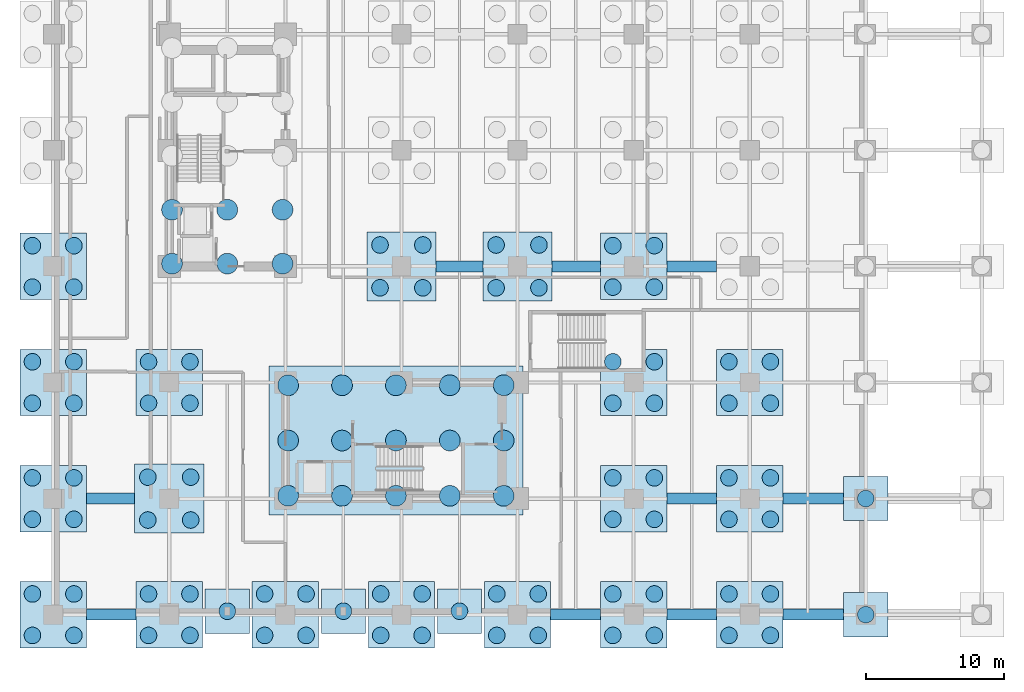
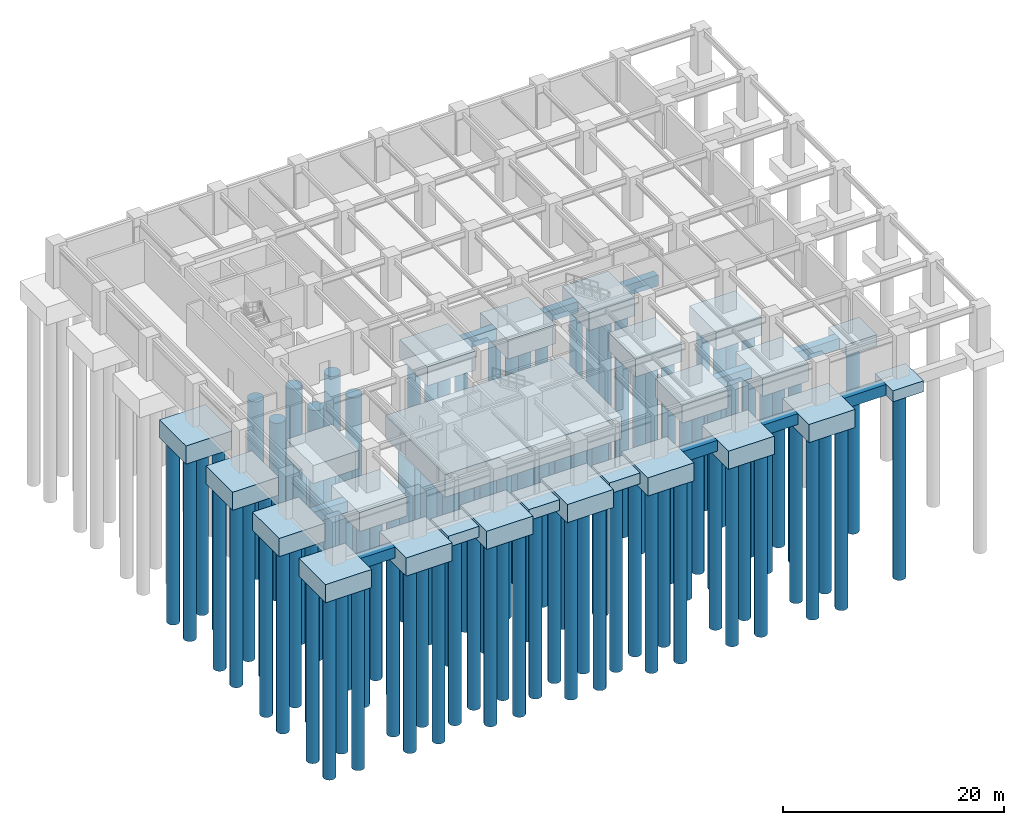
# One storey, part 1 of 9: 102 piles, 35 footings.
"""IFC4 building model written with IfcOpenShell, lengths in metres."""

from ifc_helpers import new_model, si_unit, direction, frame, origin, origin_2d, place, context, subcontext, project, spatial, polyline, rectangle, circle, outline, extrude, material, layer, layer_set, material_profile, profile_set, type_object, element, save


model = new_model("IFC4")

# Units and contexts
model_context = context("Model", 3, precision=1e-05, world=origin(), true_north=direction((0.0, 1.0)))
body_context = subcontext(model_context, "Body", "Model", "MODEL_VIEW")
ifc_project = project(units=[si_unit("LENGTHUNIT", "METRE"), si_unit("AREAUNIT", "SQUARE_METRE"), si_unit("VOLUMEUNIT", "CUBIC_METRE"), si_unit("PLANEANGLEUNIT", "RADIAN"), si_unit("MASSUNIT", "GRAM", prefix="KILO")], contexts=[model_context])

# Site, building, storey
site_placement = place(None, origin())
site = spatial("IfcSite", under=ifc_project, at=site_placement, CompositionType="ELEMENT")
building_placement = place(site_placement, origin())
building = spatial("IfcBuilding", under=site, at=building_placement, Name="Nerrivon Quay Data Exchange", CompositionType="ELEMENT")
storey_placement = place(building_placement, frame((0.0, 0.0, -9.60009765625)))
storey = spatial("IfcBuildingStorey", under=building, at=storey_placement, Name="B02", CompositionType="ELEMENT", Elevation=-9.60009765625)

# Footings
ifc_material_1 = material(Name="Concrete N50 (50 MPa)", Category="concrete")
ifc_layer_1 = layer(ifc_material_1, 2.0)
ifc_layer_set_1 = layer_set([ifc_layer_1], Name="Concrete N50 (50 MPa)")
footing_type_1 = type_object("IfcFootingType", Name="FTG-CAP-4P", PredefinedType="PILE_CAP", material=ifc_layer_set_1)
footing_1_placement = place(storey_placement, frame((0.0, 0.0, -2.39990234375)))
element("IfcFooting", 1, at=footing_1_placement, inside=storey, type_object=footing_type_1, Name="Four-Pile Cap PC-01", PredefinedType="PILE_CAP", context=body_context, shape_type="SweptSolid", body=[
    extrude(outline(polyline([(-2.39990234375, -2.39990234375), (2.39990234375, -2.39990234375), (2.39990234375, 2.39990234375), (-2.39990234375, 2.39990234375), (-2.39990234375, -2.39990234375)])), origin(), (0.0, 0.0, 1.0), 2.0),
])
footing_2_placement = place(storey_placement, frame((0.0, 0.0, -2.39990234375)))
element("IfcFooting", 2, at=footing_2_placement, inside=storey, type_object=footing_type_1, Name="Four-Pile Cap PC-02", PredefinedType="PILE_CAP", context=body_context, shape_type="SweptSolid", body=[
    extrude(outline(polyline([(-2.39990234375, 6.0), (2.39990234375, 6.0), (2.39990234375, 10.800048828125), (-2.39990234375, 10.800048828125), (-2.39990234375, 6.0)])), origin(), (0.0, 0.0, 1.0), 2.0),
])
footing_3_placement = place(storey_placement, frame((0.0, 0.0, -2.39990234375)))
element("IfcFooting", 3, at=footing_3_placement, inside=storey, type_object=footing_type_1, Name="Four-Pile Cap PC-03", PredefinedType="PILE_CAP", context=body_context, shape_type="SweptSolid", body=[
    extrude(outline(polyline([(-2.39990234375, 14.39990234375), (2.39990234375, 14.39990234375), (2.39990234375, 19.199951171875), (-2.39990234375, 19.199951171875), (-2.39990234375, 14.39990234375)])), origin(), (0.0, 0.0, 1.0), 2.0),
])
footing_4_placement = place(storey_placement, frame((0.0, 0.0, -2.39990234375)))
element("IfcFooting", 4, at=footing_4_placement, inside=storey, type_object=footing_type_1, Name="Four-Pile Cap PC-04", PredefinedType="PILE_CAP", context=body_context, shape_type="SweptSolid", body=[
    extrude(outline(polyline([(-2.39990234375, 22.800048828125), (2.39990234375, 22.800048828125), (2.39990234375, 27.60009765625), (-2.39990234375, 27.60009765625), (-2.39990234375, 22.800048828125)])), origin(), (0.0, 0.0, 1.0), 2.0),
])
footing_5_placement = place(storey_placement, frame((0.0, 0.0, -2.39990234375)))
element("IfcFooting", 5, at=footing_5_placement, inside=storey, type_object=footing_type_1, Name="Four-Pile Cap PC-08", PredefinedType="PILE_CAP", context=body_context, shape_type="SweptSolid", body=[
    extrude(outline(polyline([(6.0, -2.39990234375), (10.800048828125, -2.39990234375), (10.800048828125, 2.39990234375), (6.0, 2.39990234375), (6.0, -2.39990234375)])), origin(), (0.0, 0.0, 1.0), 2.0),
])
footing_6_placement = place(storey_placement, frame((0.0, 0.0, -2.39990234375)))
element("IfcFooting", 6, at=footing_6_placement, inside=storey, type_object=footing_type_1, Name="Four-Pile Cap PC-10", PredefinedType="PILE_CAP", context=body_context, shape_type="SweptSolid", body=[
    extrude(outline(polyline([(6.0, 14.39990234375), (10.800048828125, 14.39990234375), (10.800048828125, 19.199951171875), (6.0, 19.199951171875), (6.0, 14.39990234375)])), origin(), (0.0, 0.0, 1.0), 2.0),
])
footing_7_placement = place(storey_placement, frame((0.0, 0.0, -2.39990234375)))
element("IfcFooting", 7, at=footing_7_placement, inside=storey, type_object=footing_type_1, Name="Four-Pile Cap PC-12", PredefinedType="PILE_CAP", context=body_context, shape_type="SweptSolid", body=[
    extrude(outline(polyline([(14.39990234375, -2.39990234375), (19.199951171875, -2.39990234375), (19.199951171875, 2.39990234375), (14.39990234375, 2.39990234375), (14.39990234375, -2.39990234375)])), origin(), (0.0, 0.0, 1.0), 2.0),
])
footing_8_placement = place(storey_placement, frame((0.0, 0.0, -2.39990234375)))
element("IfcFooting", 8, at=footing_8_placement, inside=storey, type_object=footing_type_1, Name="Four-Pile Cap PC-14", PredefinedType="PILE_CAP", context=body_context, shape_type="SweptSolid", body=[
    extrude(outline(polyline([(22.800048828125, -2.39990234375), (27.60009765625, -2.39990234375), (27.60009765625, 2.39990234375), (22.800048828125, 2.39990234375), (22.800048828125, -2.39990234375)])), origin(), (0.0, 0.0, 1.0), 2.0),
])
footing_9_placement = place(storey_placement, frame((0.0, 0.0, -2.39990234375)))
element("IfcFooting", 9, at=footing_9_placement, inside=storey, type_object=footing_type_1, Name="Four-Pile Cap PC-19", PredefinedType="PILE_CAP", context=body_context, shape_type="SweptSolid", body=[
    extrude(outline(polyline([(31.199951171875, -2.39990234375), (36.0, -2.39990234375), (36.0, 2.39990234375), (31.199951171875, 2.39990234375), (31.199951171875, -2.39990234375)])), origin(), (0.0, 0.0, 1.0), 2.0),
])
footing_10_placement = place(storey_placement, frame((0.0, 0.0, -2.39990234375)))
element("IfcFooting", 10, at=footing_10_placement, inside=storey, type_object=footing_type_1, Name="Four-Pile Cap PC-24", PredefinedType="PILE_CAP", context=body_context, shape_type="SweptSolid", body=[
    extrude(outline(polyline([(39.60009765625, -2.39990234375), (44.39990234375, -2.39990234375), (44.39990234375, 2.39990234375), (39.60009765625, 2.39990234375), (39.60009765625, -2.39990234375)])), origin(), (0.0, 0.0, 1.0), 2.0),
])
footing_11_placement = place(storey_placement, frame((0.0, 0.0, -2.39990234375)))
element("IfcFooting", 11, at=footing_11_placement, inside=storey, type_object=footing_type_1, Name="Four-Pile Cap PC-25", PredefinedType="PILE_CAP", context=body_context, shape_type="SweptSolid", body=[
    extrude(outline(polyline([(39.60009765625, 6.0), (44.39990234375, 6.0), (44.39990234375, 10.800048828125), (39.60009765625, 10.800048828125), (39.60009765625, 6.0)])), origin(), (0.0, 0.0, 1.0), 2.0),
])
footing_12_placement = place(storey_placement, frame((0.0, 0.0, -2.39990234375)))
element("IfcFooting", 12, at=footing_12_placement, inside=storey, type_object=footing_type_1, Name="Four-Pile Cap PC-26", PredefinedType="PILE_CAP", context=body_context, shape_type="SweptSolid", body=[
    extrude(outline(polyline([(39.60009765625, 14.39990234375), (44.39990234375, 14.39990234375), (44.39990234375, 19.199951171875), (39.60009765625, 19.199951171875), (39.60009765625, 14.39990234375)])), origin(), (0.0, 0.0, 1.0), 2.0),
])
footing_13_placement = place(storey_placement, frame((0.0, 0.0, -2.39990234375)))
element("IfcFooting", 13, at=footing_13_placement, inside=storey, type_object=footing_type_1, Name="Four-Pile Cap PC-27", PredefinedType="PILE_CAP", context=body_context, shape_type="SweptSolid", body=[
    extrude(outline(polyline([(39.60009765625, 22.800048828125), (44.39990234375, 22.800048828125), (44.39990234375, 27.60009765625), (39.60009765625, 27.60009765625), (39.60009765625, 22.800048828125)])), origin(), (0.0, 0.0, 1.0), 2.0),
])
footing_14_placement = place(storey_placement, frame((0.0, 0.0, -2.39990234375)))
element("IfcFooting", 14, at=footing_14_placement, inside=storey, type_object=footing_type_1, Name="Four-Pile Cap PC-31", PredefinedType="PILE_CAP", context=body_context, shape_type="SweptSolid", body=[
    extrude(outline(polyline([(48.0, -2.39990234375), (52.800048828125, -2.39990234375), (52.800048828125, 2.39990234375), (48.0, 2.39990234375), (48.0, -2.39990234375)])), origin(), (0.0, 0.0, 1.0), 2.0),
])
footing_15_placement = place(storey_placement, frame((0.0, 0.0, -2.39990234375)))
element("IfcFooting", 15, at=footing_15_placement, inside=storey, type_object=footing_type_1, Name="Four-Pile Cap PC-32", PredefinedType="PILE_CAP", context=body_context, shape_type="SweptSolid", body=[
    extrude(outline(polyline([(48.0, 6.0), (52.800048828125, 6.0), (52.800048828125, 10.800048828125), (48.0, 10.800048828125), (48.0, 6.0)])), origin(), (0.0, 0.0, 1.0), 2.0),
])
footing_16_placement = place(storey_placement, frame((0.0, 0.0, -2.39990234375)))
element("IfcFooting", 16, at=footing_16_placement, inside=storey, type_object=footing_type_1, Name="Four-Pile Cap PC-33", PredefinedType="PILE_CAP", context=body_context, shape_type="SweptSolid", body=[
    extrude(outline(polyline([(48.0, 14.39990234375), (52.800048828125, 14.39990234375), (52.800048828125, 19.199951171875), (48.0, 19.199951171875), (48.0, 14.39990234375)])), origin(), (0.0, 0.0, 1.0), 2.0),
])
ifc_layer_2 = layer(ifc_material_1, 2.10009765625)
ifc_layer_set_2 = layer_set([ifc_layer_2], Name="Concrete N50 (50 MPa)")
footing_type_2 = type_object("IfcFootingType", Name="FTG-CAP-4PC", PredefinedType="PILE_CAP", material=ifc_layer_set_2)
footing_17_placement = place(storey_placement, frame((0.0, 0.0, -2.5)))
element("IfcFooting", 17, at=footing_17_placement, inside=storey, type_object=footing_type_2, Name="Four-Pile Cap PC-09", PredefinedType="PILE_CAP", context=body_context, shape_type="SweptSolid", body=[
    extrude(outline(polyline([(5.89990234375, 5.89990234375), (10.89990234375, 5.89990234375), (10.89990234375, 10.89990234375), (5.89990234375, 10.89990234375), (5.89990234375, 5.89990234375)])), origin(), (0.0, 0.0, 1.0), 2.10009765625),
])
footing_18_placement = place(storey_placement, frame((0.0, 0.0, -2.5)))
element("IfcFooting", 18, at=footing_18_placement, inside=storey, type_object=footing_type_2, Name="Four-Pile Cap PC-15", PredefinedType="PILE_CAP", context=body_context, shape_type="SweptSolid", body=[
    extrude(outline(polyline([(22.699951171875, 22.699951171875), (27.699951171875, 22.699951171875), (27.699951171875, 27.699951171875), (22.699951171875, 27.699951171875), (22.699951171875, 22.699951171875)])), origin(), (0.0, 0.0, 1.0), 2.10009765625),
])
footing_19_placement = place(storey_placement, frame((0.0, 0.0, -2.5)))
element("IfcFooting", 19, at=footing_19_placement, inside=storey, type_object=footing_type_2, Name="Four-Pile Cap PC-20", PredefinedType="PILE_CAP", context=body_context, shape_type="SweptSolid", body=[
    extrude(outline(polyline([(31.10009765625, 22.699951171875), (36.10009765625, 22.699951171875), (36.10009765625, 27.699951171875), (31.10009765625, 27.699951171875), (31.10009765625, 22.699951171875)])), origin(), (0.0, 0.0, 1.0), 2.10009765625),
])
ifc_material_2 = material(Name="Concrete N40 (40 MPa)", Category="concrete")
ifc_material_profile_1 = material_profile(ifc_material_2, rectangle(XDim=0.800048828125, YDim=1.199951171875, at=origin_2d()), Name="RC-GB-800x1200")
ifc_profile_set_1 = profile_set([ifc_material_profile_1], Name="Concrete N40 (40 MPa)")
footing_type_3 = type_object("IfcFootingType", Name="FTG-GB-800x1200", PredefinedType="FOOTING_BEAM", material=ifc_profile_set_1)
for number, where, z_axis, x_axis, name in (
    (20, (2.39990234375, 0.0, -1.0), (1.0, 0.0, 0.0), (0.0, 1.0, 0.0), "Ground Tie Beam GB-01"),
    (21, (36.0, 0.0, -1.0), (1.0, 0.0, 0.0), (0.0, 1.0, 0.0), "Ground Tie Beam GB-02"),
    (22, (44.39990234375, 0.0, -1.0), (1.0, 0.0, 0.0), (0.0, 1.0, 0.0), "Ground Tie Beam GB-03"),
):
    element("IfcFooting", number, at=place(storey_placement, frame(where, z_axis=z_axis, x_axis=x_axis)), inside=storey, type_object=footing_type_3, Name=name, PredefinedType="FOOTING_BEAM", context=body_context, shape_type="SweptSolid", body=[
        extrude(rectangle(XDim=0.800048828125, YDim=1.199951171875, at=origin_2d()), origin(), (0.0, 0.0, 1.0), 3.60009765625),
    ])
footing_20_placement = place(storey_placement, frame((52.800048828125, 0.0, -1.0), z_axis=(1.0, 0.0, 0.0), x_axis=(0.0, 1.0, 0.0)))
element("IfcFooting", 23, at=footing_20_placement, inside=storey, type_object=footing_type_3, Name="Ground Tie Beam GB-04", PredefinedType="FOOTING_BEAM", context=body_context, shape_type="SweptSolid", body=[
    extrude(rectangle(XDim=0.800048828125, YDim=1.199951171875, at=origin_2d()), origin(), (0.0, 0.0, 1.0), 4.39990234375),
])
footing_21_placement = place(storey_placement, frame((2.39990234375, 8.39990234375, -1.0), z_axis=(1.0, 0.0, 0.0), x_axis=(0.0, 1.0, 0.0)))
element("IfcFooting", 24, at=footing_21_placement, inside=storey, type_object=footing_type_3, Name="Ground Tie Beam GB-06", PredefinedType="FOOTING_BEAM", context=body_context, shape_type="SweptSolid", body=[
    extrude(rectangle(XDim=0.800048828125, YDim=1.199951171875, at=origin_2d()), origin(), (0.0, 0.0, 1.0), 3.5),
])
footing_22_placement = place(storey_placement, frame((44.39990234375, 8.39990234375, -1.0), z_axis=(1.0, 0.0, 0.0), x_axis=(0.0, 1.0, 0.0)))
element("IfcFooting", 25, at=footing_22_placement, inside=storey, type_object=footing_type_3, Name="Ground Tie Beam GB-07", PredefinedType="FOOTING_BEAM", context=body_context, shape_type="SweptSolid", body=[
    extrude(rectangle(XDim=0.800048828125, YDim=1.199951171875, at=origin_2d()), origin(), (0.0, 0.0, 1.0), 3.60009765625),
])
footing_23_placement = place(storey_placement, frame((52.800048828125, 8.39990234375, -1.0), z_axis=(1.0, 0.0, 0.0), x_axis=(0.0, 1.0, 0.0)))
element("IfcFooting", 26, at=footing_23_placement, inside=storey, type_object=footing_type_3, Name="Ground Tie Beam GB-08", PredefinedType="FOOTING_BEAM", context=body_context, shape_type="SweptSolid", body=[
    extrude(rectangle(XDim=0.800048828125, YDim=1.199951171875, at=origin_2d()), origin(), (0.0, 0.0, 1.0), 4.39990234375),
])
footing_24_placement = place(storey_placement, frame((27.699951171875, 25.199951171875, -1.0), z_axis=(1.0, 0.0, 0.0), x_axis=(0.0, 1.0, 0.0)))
element("IfcFooting", 27, at=footing_24_placement, inside=storey, type_object=footing_type_3, Name="Ground Tie Beam GB-10", PredefinedType="FOOTING_BEAM", context=body_context, shape_type="SweptSolid", body=[
    extrude(rectangle(XDim=0.800048828125, YDim=1.199951171875, at=origin_2d()), origin(), (0.0, 0.0, 1.0), 3.400146484375),
])
footing_25_placement = place(storey_placement, frame((36.10009765625, 25.199951171875, -1.0), z_axis=(1.0, 0.0, 0.0), x_axis=(0.0, 1.0, 0.0)))
element("IfcFooting", 28, at=footing_25_placement, inside=storey, type_object=footing_type_3, Name="Ground Tie Beam GB-11", PredefinedType="FOOTING_BEAM", context=body_context, shape_type="SweptSolid", body=[
    extrude(rectangle(XDim=0.800048828125, YDim=1.199951171875, at=origin_2d()), origin(), (0.0, 0.0, 1.0), 3.5),
])
footing_26_placement = place(storey_placement, frame((44.39990234375, 25.199951171875, -1.0), z_axis=(1.0, 0.0, 0.0), x_axis=(0.0, 1.0, 0.0)))
element("IfcFooting", 29, at=footing_26_placement, inside=storey, type_object=footing_type_3, Name="Ground Tie Beam GB-12", PredefinedType="FOOTING_BEAM", context=body_context, shape_type="SweptSolid", body=[
    extrude(rectangle(XDim=0.800048828125, YDim=1.199951171875, at=origin_2d()), origin(), (0.0, 0.0, 1.0), 3.60009765625),
])
ifc_layer_3 = layer(ifc_material_2, 1.199951171875)
ifc_layer_set_3 = layer_set([ifc_layer_3], Name="Concrete N40 (40 MPa)")
footing_type_4 = type_object("IfcFootingType", Name="FTG-PAD-POD", PredefinedType="PAD_FOOTING", material=ifc_layer_set_3)
footing_27_placement = place(storey_placement, frame((0.0, 0.0, -1.599853515625)))
element("IfcFooting", 30, at=footing_27_placement, inside=storey, type_object=footing_type_4, Name="Podium Pad Footing PF-38", PredefinedType="PAD_FOOTING", context=body_context, shape_type="SweptSolid", body=[
    extrude(outline(polyline([(57.199951171875, -1.60009765625), (60.39990234375, -1.60009765625), (60.39990234375, 1.60009765625), (57.199951171875, 1.60009765625), (57.199951171875, -1.60009765625)])), origin(), (0.0, 0.0, 1.0), 1.199951171875),
])
footing_28_placement = place(storey_placement, frame((0.0, 0.0, -1.599853515625)))
element("IfcFooting", 31, at=footing_28_placement, inside=storey, type_object=footing_type_4, Name="Podium Pad Footing PF-39", PredefinedType="PAD_FOOTING", context=body_context, shape_type="SweptSolid", body=[
    extrude(outline(polyline([(57.199951171875, 6.800048828125), (60.39990234375, 6.800048828125), (60.39990234375, 10.0), (57.199951171875, 10.0), (57.199951171875, 6.800048828125)])), origin(), (0.0, 0.0, 1.0), 1.199951171875),
])
footing_29_placement = place(storey_placement, frame((0.0, 0.0, -1.599853515625)))
element("IfcFooting", 32, at=footing_29_placement, inside=storey, type_object=footing_type_4, Name="Facade Pilaster Pad Footing PF-PIL-01", PredefinedType="PAD_FOOTING", context=body_context, shape_type="SweptSolid", body=[
    extrude(outline(polyline([(11.0, -1.35009765625), (14.199951171875, -1.35009765625), (14.199951171875, 1.85009765625), (11.0, 1.85009765625), (11.0, -1.35009765625)])), origin(), (0.0, 0.0, 1.0), 1.199951171875),
])
footing_30_placement = place(storey_placement, frame((0.0, 0.0, -1.599853515625)))
element("IfcFooting", 33, at=footing_30_placement, inside=storey, type_object=footing_type_4, Name="Facade Pilaster Pad Footing PF-PIL-02", PredefinedType="PAD_FOOTING", context=body_context, shape_type="SweptSolid", body=[
    extrude(outline(polyline([(19.39990234375, -1.35009765625), (22.60009765625, -1.35009765625), (22.60009765625, 1.85009765625), (19.39990234375, 1.85009765625), (19.39990234375, -1.35009765625)])), origin(), (0.0, 0.0, 1.0), 1.199951171875),
])
footing_31_placement = place(storey_placement, frame((0.0, 0.0, -1.599853515625)))
element("IfcFooting", 34, at=footing_31_placement, inside=storey, type_object=footing_type_4, Name="Facade Pilaster Pad Footing PF-PIL-03", PredefinedType="PAD_FOOTING", context=body_context, shape_type="SweptSolid", body=[
    extrude(outline(polyline([(27.800048828125, -1.35009765625), (31.0, -1.35009765625), (31.0, 1.85009765625), (27.800048828125, 1.85009765625), (27.800048828125, -1.35009765625)])), origin(), (0.0, 0.0, 1.0), 1.199951171875),
])
ifc_layer_4 = layer(ifc_material_1, 2.5)
ifc_layer_set_4 = layer_set([ifc_layer_4], Name="Concrete N50 (50 MPa)")
footing_type_5 = type_object("IfcFootingType", Name="FTG-RAFT-CORE-E", PredefinedType="PILE_CAP", material=ifc_layer_set_4)
footing_32_placement = place(storey_placement, frame((0.0, 0.0, -2.89990234375)))
element("IfcFooting", 35, at=footing_32_placement, inside=storey, type_object=footing_type_5, Name="East Split-Core Piled Raft PC-CE", PredefinedType="PILE_CAP", context=body_context, shape_type="SweptSolid", body=[
    extrude(outline(polyline([(15.60009765625, 7.199951171875), (34.0, 7.199951171875), (34.0, 18.0), (15.60009765625, 18.0), (15.60009765625, 7.199951171875)])), origin(), (0.0, 0.0, 1.0), 2.5),
])

# Piles
ifc_material_profile_2 = material_profile(ifc_material_1, circle(Radius=0.75, at=origin_2d()), Name="PILE-1500")
ifc_profile_set_2 = profile_set([ifc_material_profile_2], Name="Concrete N50 (50 MPa)")
pile_type_1 = type_object("IfcPileType", Name="PILE-P1-1500", PredefinedType="BORED", material=ifc_profile_set_2)
for number, where, z_axis, x_axis, name in (
    (36, (8.60009765625, 25.39990234375, -2.7998046875), (0.0, 0.0, -1.0), (1.0, 0.0, 0.0), "Bored Pile P1-001"),
    (37, (8.60009765625, 29.300048828125, -2.7998046875), (0.0, 0.0, -1.0), (1.0, 0.0, 0.0), "Bored Pile P1-002"),
    (38, (12.60009765625, 25.39990234375, -2.7998046875), (0.0, 0.0, -1.0), (1.0, 0.0, 0.0), "Bored Pile P1-006"),
    (39, (12.60009765625, 29.300048828125, -2.7998046875), (0.0, 0.0, -1.0), (1.0, 0.0, 0.0), "Bored Pile P1-007"),
    (40, (16.60009765625, 25.39990234375, -2.7998046875), (0.0, 0.0, -1.0), (1.0, 0.0, 0.0), "Bored Pile P1-011"),
    (41, (16.60009765625, 29.300048828125, -2.7998046875), (0.0, 0.0, -1.0), (1.0, 0.0, 0.0), "Bored Pile P1-012"),
    (42, (17.0, 8.60009765625, -2.7998046875), (0.0, 0.0, -1.0), (1.0, 0.0, 0.0), "Bored Pile P1-016"),
    (43, (17.0, 12.60009765625, -2.7998046875), (0.0, 0.0, -1.0), (1.0, 0.0, 0.0), "Bored Pile P1-017"),
    (44, (17.0, 16.60009765625, -2.7998046875), (0.0, 0.0, -1.0), (1.0, 0.0, 0.0), "Bored Pile P1-018"),
    (45, (20.89990234375, 8.60009765625, -2.7998046875), (0.0, 0.0, -1.0), (1.0, 0.0, 0.0), "Bored Pile P1-019"),
    (46, (20.89990234375, 12.60009765625, -2.7998046875), (0.0, 0.0, -1.0), (1.0, 0.0, 0.0), "Bored Pile P1-020"),
    (47, (20.89990234375, 16.60009765625, -2.7998046875), (0.0, 0.0, -1.0), (1.0, 0.0, 0.0), "Bored Pile P1-021"),
    (48, (24.800048828125, 8.60009765625, -2.7998046875), (0.0, 0.0, -1.0), (1.0, 0.0, 0.0), "Bored Pile P1-022"),
    (49, (24.800048828125, 12.60009765625, -2.7998046875), (0.0, 0.0, -1.0), (1.0, 0.0, 0.0), "Bored Pile P1-023"),
    (50, (24.800048828125, 16.60009765625, -2.7998046875), (0.0, 0.0, -1.0), (1.0, 0.0, 0.0), "Bored Pile P1-024"),
    (51, (28.699951171875, 8.60009765625, -2.7998046875), (0.0, 0.0, -1.0), (1.0, 0.0, 0.0), "Bored Pile P1-025"),
    (52, (28.699951171875, 12.60009765625, -2.7998046875), (0.0, 0.0, -1.0), (1.0, 0.0, 0.0), "Bored Pile P1-026"),
    (53, (28.699951171875, 16.60009765625, -2.7998046875), (0.0, 0.0, -1.0), (1.0, 0.0, 0.0), "Bored Pile P1-027"),
    (54, (32.60009765625, 8.60009765625, -2.7998046875), (0.0, 0.0, -1.0), (1.0, 0.0, 0.0), "Bored Pile P1-028"),
    (55, (32.60009765625, 12.60009765625, -2.7998046875), (0.0, 0.0, -1.0), (1.0, 0.0, 0.0), "Bored Pile P1-029"),
    (56, (32.60009765625, 16.60009765625, -2.7998046875), (0.0, 0.0, -1.0), (1.0, 0.0, 0.0), "Bored Pile P1-030"),
):
    element("IfcPile", number, at=place(storey_placement, frame(where, z_axis=z_axis, x_axis=x_axis)), inside=storey, type_object=pile_type_1, Name=name, PredefinedType="BORED", context=body_context, shape_type="SweptSolid", body=[
        extrude(circle(Radius=0.75, at=origin_2d()), origin(), (0.0, 0.0, 1.0), 19.60009765625),
    ])
ifc_material_profile_3 = material_profile(ifc_material_1, circle(Radius=0.60009765625, at=origin_2d()), Name="PILE-1200")
ifc_profile_set_3 = profile_set([ifc_material_profile_3], Name="Concrete N50 (50 MPa)")
pile_type_2 = type_object("IfcPileType", Name="PILE-P2-1200", PredefinedType="BORED", material=ifc_profile_set_3)
for number, where, z_axis, x_axis, name in (
    (57, (-1.5, -1.5, -2.2998046875), (0.0, 0.0, -1.0), (1.0, 0.0, 0.0), "Bored Pile P2-031"),
    (58, (-1.5, 1.5, -2.2998046875), (0.0, 0.0, -1.0), (1.0, 0.0, 0.0), "Bored Pile P2-032"),
    (59, (1.5, -1.5, -2.2998046875), (0.0, 0.0, -1.0), (1.0, 0.0, 0.0), "Bored Pile P2-033"),
    (60, (1.5, 1.5, -2.2998046875), (0.0, 0.0, -1.0), (1.0, 0.0, 0.0), "Bored Pile P2-034"),
    (61, (-1.5, 6.89990234375, -2.2998046875), (0.0, 0.0, -1.0), (1.0, 0.0, 0.0), "Bored Pile P2-035"),
    (62, (-1.5, 9.89990234375, -2.2998046875), (0.0, 0.0, -1.0), (1.0, 0.0, 0.0), "Bored Pile P2-036"),
    (63, (1.5, 6.89990234375, -2.2998046875), (0.0, 0.0, -1.0), (1.0, 0.0, 0.0), "Bored Pile P2-037"),
    (64, (1.5, 9.89990234375, -2.2998046875), (0.0, 0.0, -1.0), (1.0, 0.0, 0.0), "Bored Pile P2-038"),
    (65, (-1.5, 15.300048828125, -2.2998046875), (0.0, 0.0, -1.0), (1.0, 0.0, 0.0), "Bored Pile P2-039"),
    (66, (-1.5, 18.300048828125, -2.2998046875), (0.0, 0.0, -1.0), (1.0, 0.0, 0.0), "Bored Pile P2-040"),
    (67, (1.5, 15.300048828125, -2.2998046875), (0.0, 0.0, -1.0), (1.0, 0.0, 0.0), "Bored Pile P2-041"),
    (68, (1.5, 18.300048828125, -2.2998046875), (0.0, 0.0, -1.0), (1.0, 0.0, 0.0), "Bored Pile P2-042"),
    (69, (-1.5, 23.699951171875, -2.2998046875), (0.0, 0.0, -1.0), (1.0, 0.0, 0.0), "Bored Pile P2-043"),
    (70, (-1.5, 26.699951171875, -2.2998046875), (0.0, 0.0, -1.0), (1.0, 0.0, 0.0), "Bored Pile P2-044"),
    (71, (1.5, 23.699951171875, -2.2998046875), (0.0, 0.0, -1.0), (1.0, 0.0, 0.0), "Bored Pile P2-045"),
    (72, (1.5, 26.699951171875, -2.2998046875), (0.0, 0.0, -1.0), (1.0, 0.0, 0.0), "Bored Pile P2-046"),
    (73, (6.89990234375, -1.5, -2.2998046875), (0.0, 0.0, -1.0), (1.0, 0.0, 0.0), "Bored Pile P2-059"),
    (74, (6.89990234375, 1.5, -2.2998046875), (0.0, 0.0, -1.0), (1.0, 0.0, 0.0), "Bored Pile P2-060"),
    (75, (9.89990234375, -1.5, -2.2998046875), (0.0, 0.0, -1.0), (1.0, 0.0, 0.0), "Bored Pile P2-061"),
    (76, (9.89990234375, 1.5, -2.2998046875), (0.0, 0.0, -1.0), (1.0, 0.0, 0.0), "Bored Pile P2-062"),
):
    element("IfcPile", number, at=place(storey_placement, frame(where, z_axis=z_axis, x_axis=x_axis)), inside=storey, type_object=pile_type_2, Name=name, PredefinedType="BORED", context=body_context, shape_type="SweptSolid", body=[
        extrude(circle(Radius=0.60009765625, at=origin_2d()), origin(), (0.0, 0.0, 1.0), 20.10009765625),
    ])
for number, where, z_axis, x_axis, name in (
    (77, (6.85009765625, 6.85009765625, -2.39990234375), (0.0, 0.0, -1.0), (1.0, 0.0, 0.0), "Bored Pile P2-063"),
    (78, (6.85009765625, 9.949951171875, -2.39990234375), (0.0, 0.0, -1.0), (1.0, 0.0, 0.0), "Bored Pile P2-064"),
    (79, (9.949951171875, 6.85009765625, -2.39990234375), (0.0, 0.0, -1.0), (1.0, 0.0, 0.0), "Bored Pile P2-065"),
    (80, (9.949951171875, 9.949951171875, -2.39990234375), (0.0, 0.0, -1.0), (1.0, 0.0, 0.0), "Bored Pile P2-066"),
):
    element("IfcPile", number, at=place(storey_placement, frame(where, z_axis=z_axis, x_axis=x_axis)), inside=storey, type_object=pile_type_2, Name=name, PredefinedType="BORED", context=body_context, shape_type="SweptSolid", body=[
        extrude(circle(Radius=0.60009765625, at=origin_2d()), origin(), (0.0, 0.0, 1.0), 20.0),
    ])
for number, where, z_axis, x_axis, name in (
    (81, (6.89990234375, 15.300048828125, -2.2998046875), (0.0, 0.0, -1.0), (1.0, 0.0, 0.0), "Bored Pile P2-067"),
    (82, (6.89990234375, 18.300048828125, -2.2998046875), (0.0, 0.0, -1.0), (1.0, 0.0, 0.0), "Bored Pile P2-068"),
    (83, (9.89990234375, 15.300048828125, -2.2998046875), (0.0, 0.0, -1.0), (1.0, 0.0, 0.0), "Bored Pile P2-069"),
    (84, (9.89990234375, 18.300048828125, -2.2998046875), (0.0, 0.0, -1.0), (1.0, 0.0, 0.0), "Bored Pile P2-070"),
    (85, (15.300048828125, -1.5, -2.2998046875), (0.0, 0.0, -1.0), (1.0, 0.0, 0.0), "Bored Pile P2-075"),
    (86, (15.300048828125, 1.5, -2.2998046875), (0.0, 0.0, -1.0), (1.0, 0.0, 0.0), "Bored Pile P2-076"),
    (87, (18.300048828125, -1.5, -2.2998046875), (0.0, 0.0, -1.0), (1.0, 0.0, 0.0), "Bored Pile P2-077"),
    (88, (18.300048828125, 1.5, -2.2998046875), (0.0, 0.0, -1.0), (1.0, 0.0, 0.0), "Bored Pile P2-078"),
    (89, (23.699951171875, -1.5, -2.2998046875), (0.0, 0.0, -1.0), (1.0, 0.0, 0.0), "Bored Pile P2-083"),
    (90, (23.699951171875, 1.5, -2.2998046875), (0.0, 0.0, -1.0), (1.0, 0.0, 0.0), "Bored Pile P2-084"),
    (91, (26.699951171875, -1.5, -2.2998046875), (0.0, 0.0, -1.0), (1.0, 0.0, 0.0), "Bored Pile P2-085"),
    (92, (26.699951171875, 1.5, -2.2998046875), (0.0, 0.0, -1.0), (1.0, 0.0, 0.0), "Bored Pile P2-086"),
):
    element("IfcPile", number, at=place(storey_placement, frame(where, z_axis=z_axis, x_axis=x_axis)), inside=storey, type_object=pile_type_2, Name=name, PredefinedType="BORED", context=body_context, shape_type="SweptSolid", body=[
        extrude(circle(Radius=0.60009765625, at=origin_2d()), origin(), (0.0, 0.0, 1.0), 20.10009765625),
    ])
for number, where, z_axis, x_axis, name in (
    (93, (23.64990234375, 23.64990234375, -2.39990234375), (0.0, 0.0, -1.0), (1.0, 0.0, 0.0), "Bored Pile P2-087"),
    (94, (23.64990234375, 26.75, -2.39990234375), (0.0, 0.0, -1.0), (1.0, 0.0, 0.0), "Bored Pile P2-088"),
    (95, (26.75, 23.64990234375, -2.39990234375), (0.0, 0.0, -1.0), (1.0, 0.0, 0.0), "Bored Pile P2-089"),
    (96, (26.75, 26.75, -2.39990234375), (0.0, 0.0, -1.0), (1.0, 0.0, 0.0), "Bored Pile P2-090"),
):
    element("IfcPile", number, at=place(storey_placement, frame(where, z_axis=z_axis, x_axis=x_axis)), inside=storey, type_object=pile_type_2, Name=name, PredefinedType="BORED", context=body_context, shape_type="SweptSolid", body=[
        extrude(circle(Radius=0.60009765625, at=origin_2d()), origin(), (0.0, 0.0, 1.0), 20.0),
    ])
for number, where, z_axis, x_axis, name in (
    (97, (32.10009765625, -1.5, -2.2998046875), (0.0, 0.0, -1.0), (1.0, 0.0, 0.0), "Bored Pile P2-103"),
    (98, (32.10009765625, 1.5, -2.2998046875), (0.0, 0.0, -1.0), (1.0, 0.0, 0.0), "Bored Pile P2-104"),
    (99, (35.10009765625, -1.5, -2.2998046875), (0.0, 0.0, -1.0), (1.0, 0.0, 0.0), "Bored Pile P2-105"),
    (100, (35.10009765625, 1.5, -2.2998046875), (0.0, 0.0, -1.0), (1.0, 0.0, 0.0), "Bored Pile P2-106"),
):
    element("IfcPile", number, at=place(storey_placement, frame(where, z_axis=z_axis, x_axis=x_axis)), inside=storey, type_object=pile_type_2, Name=name, PredefinedType="BORED", context=body_context, shape_type="SweptSolid", body=[
        extrude(circle(Radius=0.60009765625, at=origin_2d()), origin(), (0.0, 0.0, 1.0), 20.10009765625),
    ])
for number, where, z_axis, x_axis, name in (
    (101, (32.050048828125, 23.64990234375, -2.39990234375), (0.0, 0.0, -1.0), (1.0, 0.0, 0.0), "Bored Pile P2-107"),
    (102, (32.050048828125, 26.75, -2.39990234375), (0.0, 0.0, -1.0), (1.0, 0.0, 0.0), "Bored Pile P2-108"),
    (103, (35.14990234375, 23.64990234375, -2.39990234375), (0.0, 0.0, -1.0), (1.0, 0.0, 0.0), "Bored Pile P2-109"),
    (104, (35.14990234375, 26.75, -2.39990234375), (0.0, 0.0, -1.0), (1.0, 0.0, 0.0), "Bored Pile P2-110"),
):
    element("IfcPile", number, at=place(storey_placement, frame(where, z_axis=z_axis, x_axis=x_axis)), inside=storey, type_object=pile_type_2, Name=name, PredefinedType="BORED", context=body_context, shape_type="SweptSolid", body=[
        extrude(circle(Radius=0.60009765625, at=origin_2d()), origin(), (0.0, 0.0, 1.0), 20.0),
    ])
for number, where, z_axis, x_axis, name in (
    (105, (40.5, -1.5, -2.2998046875), (0.0, 0.0, -1.0), (1.0, 0.0, 0.0), "Bored Pile P2-123"),
    (106, (40.5, 1.5, -2.2998046875), (0.0, 0.0, -1.0), (1.0, 0.0, 0.0), "Bored Pile P2-124"),
    (107, (43.5, -1.5, -2.2998046875), (0.0, 0.0, -1.0), (1.0, 0.0, 0.0), "Bored Pile P2-125"),
    (108, (43.5, 1.5, -2.2998046875), (0.0, 0.0, -1.0), (1.0, 0.0, 0.0), "Bored Pile P2-126"),
    (109, (40.5, 6.89990234375, -2.2998046875), (0.0, 0.0, -1.0), (1.0, 0.0, 0.0), "Bored Pile P2-127"),
    (110, (40.5, 9.89990234375, -2.2998046875), (0.0, 0.0, -1.0), (1.0, 0.0, 0.0), "Bored Pile P2-128"),
    (111, (43.5, 6.89990234375, -2.2998046875), (0.0, 0.0, -1.0), (1.0, 0.0, 0.0), "Bored Pile P2-129"),
    (112, (43.5, 9.89990234375, -2.2998046875), (0.0, 0.0, -1.0), (1.0, 0.0, 0.0), "Bored Pile P2-130"),
    (113, (40.5, 15.300048828125, -2.2998046875), (0.0, 0.0, -1.0), (1.0, 0.0, 0.0), "Bored Pile P2-131"),
    (114, (40.5, 18.300048828125, -2.2998046875), (0.0, 0.0, -1.0), (1.0, 0.0, 0.0), "Bored Pile P2-132"),
    (115, (43.5, 15.300048828125, -2.2998046875), (0.0, 0.0, -1.0), (1.0, 0.0, 0.0), "Bored Pile P2-133"),
    (116, (43.5, 18.300048828125, -2.2998046875), (0.0, 0.0, -1.0), (1.0, 0.0, 0.0), "Bored Pile P2-134"),
    (117, (40.5, 23.699951171875, -2.2998046875), (0.0, 0.0, -1.0), (1.0, 0.0, 0.0), "Bored Pile P2-135"),
    (118, (40.5, 26.699951171875, -2.2998046875), (0.0, 0.0, -1.0), (1.0, 0.0, 0.0), "Bored Pile P2-136"),
    (119, (43.5, 23.699951171875, -2.2998046875), (0.0, 0.0, -1.0), (1.0, 0.0, 0.0), "Bored Pile P2-137"),
    (120, (43.5, 26.699951171875, -2.2998046875), (0.0, 0.0, -1.0), (1.0, 0.0, 0.0), "Bored Pile P2-138"),
    (121, (48.89990234375, -1.5, -2.2998046875), (0.0, 0.0, -1.0), (1.0, 0.0, 0.0), "Bored Pile P2-151"),
    (122, (48.89990234375, 1.5, -2.2998046875), (0.0, 0.0, -1.0), (1.0, 0.0, 0.0), "Bored Pile P2-152"),
    (123, (51.89990234375, -1.5, -2.2998046875), (0.0, 0.0, -1.0), (1.0, 0.0, 0.0), "Bored Pile P2-153"),
    (124, (51.89990234375, 1.5, -2.2998046875), (0.0, 0.0, -1.0), (1.0, 0.0, 0.0), "Bored Pile P2-154"),
    (125, (48.89990234375, 6.89990234375, -2.2998046875), (0.0, 0.0, -1.0), (1.0, 0.0, 0.0), "Bored Pile P2-155"),
    (126, (48.89990234375, 9.89990234375, -2.2998046875), (0.0, 0.0, -1.0), (1.0, 0.0, 0.0), "Bored Pile P2-156"),
    (127, (51.89990234375, 6.89990234375, -2.2998046875), (0.0, 0.0, -1.0), (1.0, 0.0, 0.0), "Bored Pile P2-157"),
    (128, (51.89990234375, 9.89990234375, -2.2998046875), (0.0, 0.0, -1.0), (1.0, 0.0, 0.0), "Bored Pile P2-158"),
    (129, (48.89990234375, 15.300048828125, -2.2998046875), (0.0, 0.0, -1.0), (1.0, 0.0, 0.0), "Bored Pile P2-159"),
    (130, (48.89990234375, 18.300048828125, -2.2998046875), (0.0, 0.0, -1.0), (1.0, 0.0, 0.0), "Bored Pile P2-160"),
    (131, (51.89990234375, 15.300048828125, -2.2998046875), (0.0, 0.0, -1.0), (1.0, 0.0, 0.0), "Bored Pile P2-161"),
    (132, (51.89990234375, 18.300048828125, -2.2998046875), (0.0, 0.0, -1.0), (1.0, 0.0, 0.0), "Bored Pile P2-162"),
):
    element("IfcPile", number, at=place(storey_placement, frame(where, z_axis=z_axis, x_axis=x_axis)), inside=storey, type_object=pile_type_2, Name=name, PredefinedType="BORED", context=body_context, shape_type="SweptSolid", body=[
        extrude(circle(Radius=0.60009765625, at=origin_2d()), origin(), (0.0, 0.0, 1.0), 20.10009765625),
    ])
for number, where, z_axis, x_axis, name in (
    (133, (58.800048828125, 0.0, -1.5), (0.0, 0.0, -1.0), (1.0, 0.0, 0.0), "Bored Pile P2-179"),
    (134, (58.800048828125, 8.39990234375, -1.5), (0.0, 0.0, -1.0), (1.0, 0.0, 0.0), "Bored Pile P2-180"),
    (135, (12.60009765625, 0.25, -1.5), (0.0, 0.0, -1.0), (1.0, 0.0, 0.0), "Bored Pile P2-193"),
    (136, (21.0, 0.25, -1.5), (0.0, 0.0, -1.0), (1.0, 0.0, 0.0), "Bored Pile P2-194"),
    (137, (29.39990234375, 0.25, -1.5), (0.0, 0.0, -1.0), (1.0, 0.0, 0.0), "Bored Pile P2-195"),
):
    element("IfcPile", number, at=place(storey_placement, frame(where, z_axis=z_axis, x_axis=x_axis)), inside=storey, type_object=pile_type_2, Name=name, PredefinedType="BORED", context=body_context, shape_type="SweptSolid", body=[
        extrude(circle(Radius=0.60009765625, at=origin_2d()), origin(), (0.0, 0.0, 1.0), 20.89990234375),
    ])

save(model, "model.ifc")
